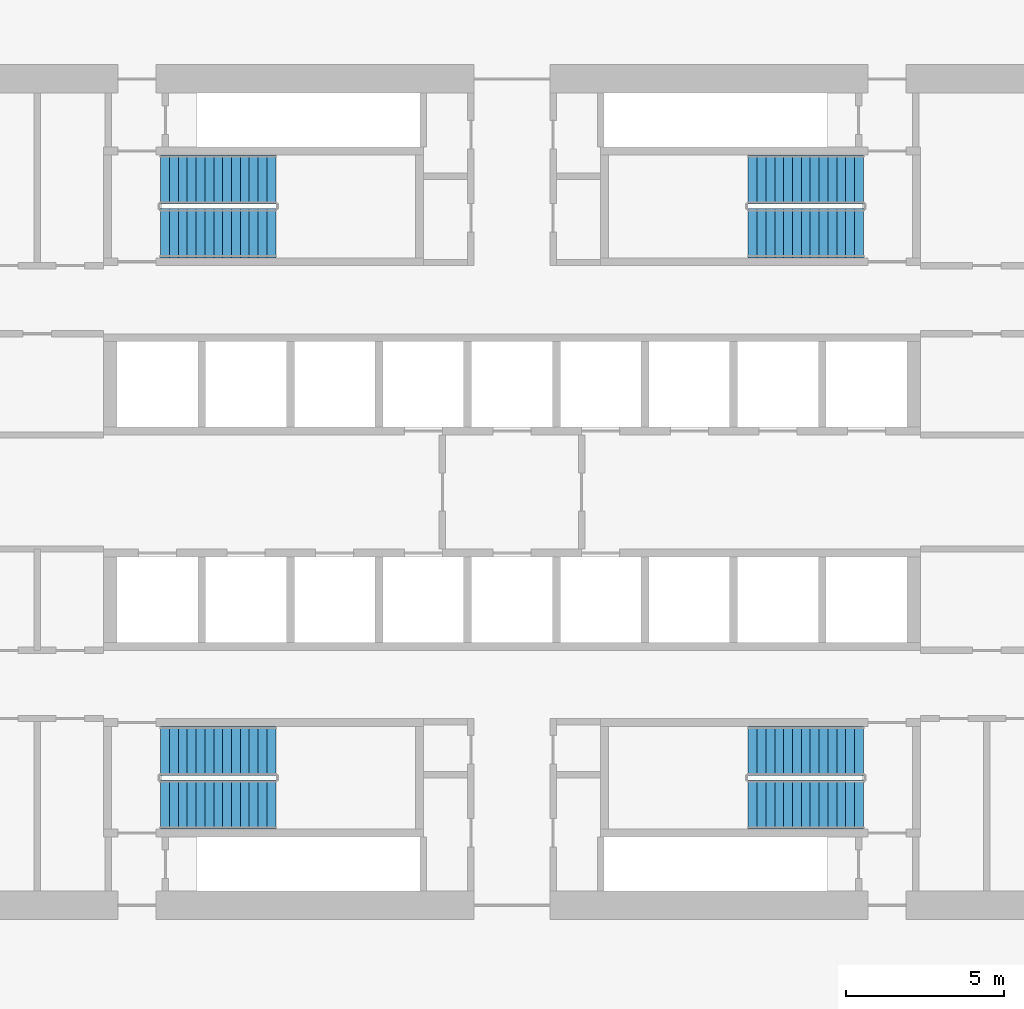
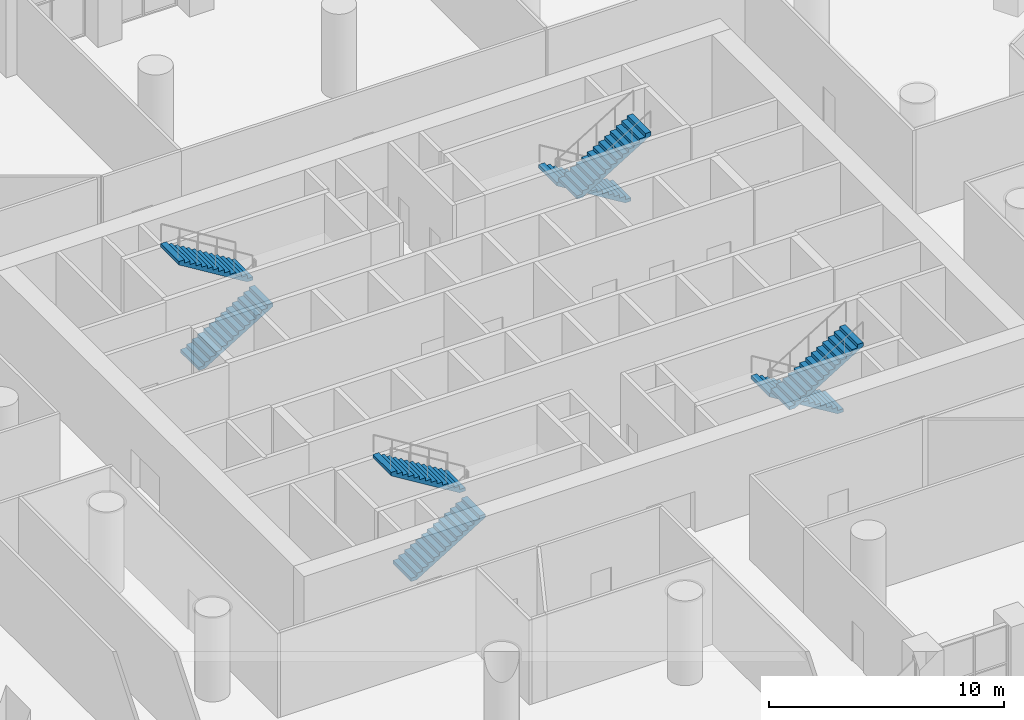
# One storey, part 15 of 21: 8 stair flights, 4 elements without a shape of their own.
"""IFC4 building model written with IfcOpenShell, lengths in metres."""

from ifc_helpers import new_model, si_unit, direction, frame, origin, place, context, subcontext, project, spatial, polyline, outline, extrude, material, type_object, element, aggregate, save


model = new_model("IFC4")

# Units and contexts
model_context = context("Model", 3, precision=1e-05, world=origin(), true_north=direction((0.0, 1.0)))
body_context = subcontext(model_context, "Body", "Model", "MODEL_VIEW")
ifc_project = project(units=[si_unit("LENGTHUNIT", "METRE"), si_unit("AREAUNIT", "SQUARE_METRE"), si_unit("VOLUMEUNIT", "CUBIC_METRE"), si_unit("PLANEANGLEUNIT", "RADIAN"), si_unit("MASSUNIT", "GRAM", prefix="KILO")], contexts=[model_context])

# Site, building, storey
site_placement = place(None, origin())
site = spatial("IfcSite", under=ifc_project, at=site_placement, CompositionType="ELEMENT")
building_placement = place(site_placement, origin())
building = spatial("IfcBuilding", under=site, at=building_placement, Name="Dhurran Vertical Campus", CompositionType="ELEMENT")
storey_placement = place(building_placement, frame((0.0, 0.0, 20.39990234375)))
storey = spatial("IfcBuildingStorey", under=building, at=storey_placement, Name="L04", CompositionType="ELEMENT", Elevation=20.39990234375)

# Stair, stair flights
ifc_material_1 = material(Name="Concrete C40/50", Category="concrete")
stair_type = type_object("IfcStairType", Name="co-ST-CORE", PredefinedType="HALF_TURN_STAIR", material=ifc_material_1)
stair_1_placement = place(storey_placement, origin())
stair_1 = element("IfcStair", 1, at=stair_1_placement, inside=storey, type_object=stair_type, Name="L04 Protected exit stair ST1", PredefinedType="HALF_TURN_STAIR")
ifc_material_2 = material(Name="Concrete C40/50", Category="concrete")
stair_flight_type = type_object("IfcStairFlightType", Name="co-SFL-RC", PredefinedType="STRAIGHT", material=ifc_material_2)
stair_flight_1_placement = place(storey_placement, frame((-11.10009765625, 8.175048828125, 0.0), z_axis=(0.0, 0.0, 1.0), x_axis=(1.0, 0.0, 0.0)))
stair_flight_1 = element("IfcStairFlight", 2, at=stair_flight_1_placement, type_object=stair_flight_type, Name="ST1 flight 1", NumberOfRisers=14, NumberOfTreads=13, PredefinedType="STRAIGHT", RiserHeight=0.171428571, TreadLength=0.28, context=body_context, shape_type="SweptSolid", body=[
    extrude(outline(polyline([(0.0, 0.0), (0.0, 0.17138671875), (0.280029296875, 0.17138671875), (0.280029296875, 0.3427734375), (0.56005859375, 0.3427734375), (0.56005859375, 0.514404296875), (0.840087890625, 0.514404296875), (0.840087890625, 0.685791015625), (1.1201171875, 0.685791015625), (1.1201171875, 0.857177734375), (1.39990234375, 0.857177734375), (1.39990234375, 1.028564453125), (1.679931640625, 1.028564453125), (1.679931640625, 1.199951171875), (1.9599609375, 1.199951171875), (1.9599609375, 1.371337890625), (2.239990234375, 1.371337890625), (2.239990234375, 1.54296875), (2.52001953125, 1.54296875), (2.52001953125, 1.71435546875), (2.800048828125, 1.71435546875), (2.800048828125, 1.8857421875), (3.080078125, 1.8857421875), (3.080078125, 2.05712890625), (3.360107421875, 2.05712890625), (3.360107421875, 2.228515625), (3.639892578125, 2.228515625), (3.639892578125, 2.39990234375), (3.639892578125, 2.052734375), (0.287109375, 0.0), (0.0, 0.0)])), frame((0.0, 0.77490234375, 0.0), z_axis=(0.0, -1.0, 0.0), x_axis=(1.0, 0.0, 0.0)), (0.0, 0.0, 1.0), 1.550048828125),
])
stair_flight_2_placement = place(storey_placement, frame((-7.4599609375, 9.875, 2.400146484375), z_axis=(0.0, 0.0, 1.0), x_axis=(-1.0, 0.0, 0.0)))
stair_flight_2 = element("IfcStairFlight", 3, at=stair_flight_2_placement, type_object=stair_flight_type, Name="ST1 flight 2", NumberOfRisers=14, NumberOfTreads=13, PredefinedType="STRAIGHT", RiserHeight=0.171428571, TreadLength=0.28, context=body_context, shape_type="SweptSolid", body=[
    extrude(outline(polyline([(0.0, 0.0), (0.0, 0.17138671875), (0.280029296875, 0.17138671875), (0.280029296875, 0.3427734375), (0.56005859375, 0.3427734375), (0.56005859375, 0.514404296875), (0.840087890625, 0.514404296875), (0.840087890625, 0.685791015625), (1.1201171875, 0.685791015625), (1.1201171875, 0.857177734375), (1.39990234375, 0.857177734375), (1.39990234375, 1.028564453125), (1.679931640625, 1.028564453125), (1.679931640625, 1.199951171875), (1.9599609375, 1.199951171875), (1.9599609375, 1.371337890625), (2.239990234375, 1.371337890625), (2.239990234375, 1.54296875), (2.52001953125, 1.54296875), (2.52001953125, 1.71435546875), (2.800048828125, 1.71435546875), (2.800048828125, 1.8857421875), (3.080078125, 1.8857421875), (3.080078125, 2.05712890625), (3.360107421875, 2.05712890625), (3.360107421875, 2.228515625), (3.639892578125, 2.228515625), (3.639892578125, 2.39990234375), (3.639892578125, 2.052734375), (0.287109375, 0.0), (0.0, 0.0)])), frame((0.0, 0.77490234375, 0.0), z_axis=(0.0, -1.0, 0.0), x_axis=(1.0, 0.0, 0.0)), (0.0, 0.0, 1.0), 1.550048828125),
])
aggregate(stair_1, [stair_flight_1, stair_flight_2])

stair_2_placement = place(storey_placement, origin())
stair_2 = element("IfcStair", 4, at=stair_2_placement, inside=storey, type_object=stair_type, Name="L04 Protected exit stair ST2", PredefinedType="HALF_TURN_STAIR")
stair_flight_3_placement = place(storey_placement, frame((11.10009765625, 9.875, 0.0), z_axis=(0.0, 0.0, 1.0), x_axis=(-1.0, 0.0, 0.0)))
stair_flight_3 = element("IfcStairFlight", 5, at=stair_flight_3_placement, type_object=stair_flight_type, Name="ST2 flight 1", NumberOfRisers=14, NumberOfTreads=13, PredefinedType="STRAIGHT", RiserHeight=0.171428571, TreadLength=0.28, context=body_context, shape_type="SweptSolid", body=[
    extrude(outline(polyline([(0.0, 0.0), (0.0, 0.17138671875), (0.280029296875, 0.17138671875), (0.280029296875, 0.3427734375), (0.56005859375, 0.3427734375), (0.56005859375, 0.514404296875), (0.840087890625, 0.514404296875), (0.840087890625, 0.685791015625), (1.1201171875, 0.685791015625), (1.1201171875, 0.857177734375), (1.39990234375, 0.857177734375), (1.39990234375, 1.028564453125), (1.679931640625, 1.028564453125), (1.679931640625, 1.199951171875), (1.9599609375, 1.199951171875), (1.9599609375, 1.371337890625), (2.239990234375, 1.371337890625), (2.239990234375, 1.54296875), (2.52001953125, 1.54296875), (2.52001953125, 1.71435546875), (2.800048828125, 1.71435546875), (2.800048828125, 1.8857421875), (3.080078125, 1.8857421875), (3.080078125, 2.05712890625), (3.360107421875, 2.05712890625), (3.360107421875, 2.228515625), (3.639892578125, 2.228515625), (3.639892578125, 2.39990234375), (3.639892578125, 2.052734375), (0.287109375, 0.0), (0.0, 0.0)])), frame((0.0, 0.77490234375, 0.0), z_axis=(0.0, -1.0, 0.0), x_axis=(1.0, 0.0, 0.0)), (0.0, 0.0, 1.0), 1.550048828125),
])
stair_flight_4_placement = place(storey_placement, frame((7.4599609375, 8.175048828125, 2.400146484375), z_axis=(0.0, 0.0, 1.0), x_axis=(1.0, 0.0, 0.0)))
stair_flight_4 = element("IfcStairFlight", 6, at=stair_flight_4_placement, type_object=stair_flight_type, Name="ST2 flight 2", NumberOfRisers=14, NumberOfTreads=13, PredefinedType="STRAIGHT", RiserHeight=0.171428571, TreadLength=0.28, context=body_context, shape_type="SweptSolid", body=[
    extrude(outline(polyline([(0.0, 0.0), (0.0, 0.17138671875), (0.280029296875, 0.17138671875), (0.280029296875, 0.3427734375), (0.56005859375, 0.3427734375), (0.56005859375, 0.514404296875), (0.840087890625, 0.514404296875), (0.840087890625, 0.685791015625), (1.1201171875, 0.685791015625), (1.1201171875, 0.857177734375), (1.39990234375, 0.857177734375), (1.39990234375, 1.028564453125), (1.679931640625, 1.028564453125), (1.679931640625, 1.199951171875), (1.9599609375, 1.199951171875), (1.9599609375, 1.371337890625), (2.239990234375, 1.371337890625), (2.239990234375, 1.54296875), (2.52001953125, 1.54296875), (2.52001953125, 1.71435546875), (2.800048828125, 1.71435546875), (2.800048828125, 1.8857421875), (3.080078125, 1.8857421875), (3.080078125, 2.05712890625), (3.360107421875, 2.05712890625), (3.360107421875, 2.228515625), (3.639892578125, 2.228515625), (3.639892578125, 2.39990234375), (3.639892578125, 2.052734375), (0.287109375, 0.0), (0.0, 0.0)])), frame((0.0, 0.77490234375, 0.0), z_axis=(0.0, -1.0, 0.0), x_axis=(1.0, 0.0, 0.0)), (0.0, 0.0, 1.0), 1.550048828125),
])
aggregate(stair_2, [stair_flight_3, stair_flight_4])

stair_3_placement = place(storey_placement, origin())
stair_3 = element("IfcStair", 7, at=stair_3_placement, inside=storey, type_object=stair_type, Name="L04 Protected exit stair ST3", PredefinedType="HALF_TURN_STAIR")
stair_flight_5_placement = place(storey_placement, frame((-11.10009765625, -9.875, 0.0), z_axis=(0.0, 0.0, 1.0), x_axis=(1.0, 0.0, 0.0)))
stair_flight_5 = element("IfcStairFlight", 8, at=stair_flight_5_placement, type_object=stair_flight_type, Name="ST3 flight 1", NumberOfRisers=14, NumberOfTreads=13, PredefinedType="STRAIGHT", RiserHeight=0.171428571, TreadLength=0.28, context=body_context, shape_type="SweptSolid", body=[
    extrude(outline(polyline([(0.0, 0.0), (0.0, 0.17138671875), (0.280029296875, 0.17138671875), (0.280029296875, 0.3427734375), (0.56005859375, 0.3427734375), (0.56005859375, 0.514404296875), (0.840087890625, 0.514404296875), (0.840087890625, 0.685791015625), (1.1201171875, 0.685791015625), (1.1201171875, 0.857177734375), (1.39990234375, 0.857177734375), (1.39990234375, 1.028564453125), (1.679931640625, 1.028564453125), (1.679931640625, 1.199951171875), (1.9599609375, 1.199951171875), (1.9599609375, 1.371337890625), (2.239990234375, 1.371337890625), (2.239990234375, 1.54296875), (2.52001953125, 1.54296875), (2.52001953125, 1.71435546875), (2.800048828125, 1.71435546875), (2.800048828125, 1.8857421875), (3.080078125, 1.8857421875), (3.080078125, 2.05712890625), (3.360107421875, 2.05712890625), (3.360107421875, 2.228515625), (3.639892578125, 2.228515625), (3.639892578125, 2.39990234375), (3.639892578125, 2.052734375), (0.287109375, 0.0), (0.0, 0.0)])), frame((0.0, 0.77490234375, 0.0), z_axis=(0.0, -1.0, 0.0), x_axis=(1.0, 0.0, 0.0)), (0.0, 0.0, 1.0), 1.550048828125),
])
stair_flight_6_placement = place(storey_placement, frame((-7.4599609375, -8.175048828125, 2.400146484375), z_axis=(0.0, 0.0, 1.0), x_axis=(-1.0, 0.0, 0.0)))
stair_flight_6 = element("IfcStairFlight", 9, at=stair_flight_6_placement, type_object=stair_flight_type, Name="ST3 flight 2", NumberOfRisers=14, NumberOfTreads=13, PredefinedType="STRAIGHT", RiserHeight=0.171428571, TreadLength=0.28, context=body_context, shape_type="SweptSolid", body=[
    extrude(outline(polyline([(0.0, 0.0), (0.0, 0.17138671875), (0.280029296875, 0.17138671875), (0.280029296875, 0.3427734375), (0.56005859375, 0.3427734375), (0.56005859375, 0.514404296875), (0.840087890625, 0.514404296875), (0.840087890625, 0.685791015625), (1.1201171875, 0.685791015625), (1.1201171875, 0.857177734375), (1.39990234375, 0.857177734375), (1.39990234375, 1.028564453125), (1.679931640625, 1.028564453125), (1.679931640625, 1.199951171875), (1.9599609375, 1.199951171875), (1.9599609375, 1.371337890625), (2.239990234375, 1.371337890625), (2.239990234375, 1.54296875), (2.52001953125, 1.54296875), (2.52001953125, 1.71435546875), (2.800048828125, 1.71435546875), (2.800048828125, 1.8857421875), (3.080078125, 1.8857421875), (3.080078125, 2.05712890625), (3.360107421875, 2.05712890625), (3.360107421875, 2.228515625), (3.639892578125, 2.228515625), (3.639892578125, 2.39990234375), (3.639892578125, 2.052734375), (0.287109375, 0.0), (0.0, 0.0)])), frame((0.0, 0.77490234375, 0.0), z_axis=(0.0, -1.0, 0.0), x_axis=(1.0, 0.0, 0.0)), (0.0, 0.0, 1.0), 1.550048828125),
])
aggregate(stair_3, [stair_flight_5, stair_flight_6])

stair_4_placement = place(storey_placement, origin())
stair_4 = element("IfcStair", 10, at=stair_4_placement, inside=storey, type_object=stair_type, Name="L04 Protected exit stair ST4", PredefinedType="HALF_TURN_STAIR")
stair_flight_7_placement = place(storey_placement, frame((11.10009765625, -8.175048828125, 0.0), z_axis=(0.0, 0.0, 1.0), x_axis=(-1.0, 0.0, 0.0)))
stair_flight_7 = element("IfcStairFlight", 11, at=stair_flight_7_placement, type_object=stair_flight_type, Name="ST4 flight 1", NumberOfRisers=14, NumberOfTreads=13, PredefinedType="STRAIGHT", RiserHeight=0.171428571, TreadLength=0.28, context=body_context, shape_type="SweptSolid", body=[
    extrude(outline(polyline([(0.0, 0.0), (0.0, 0.17138671875), (0.280029296875, 0.17138671875), (0.280029296875, 0.3427734375), (0.56005859375, 0.3427734375), (0.56005859375, 0.514404296875), (0.840087890625, 0.514404296875), (0.840087890625, 0.685791015625), (1.1201171875, 0.685791015625), (1.1201171875, 0.857177734375), (1.39990234375, 0.857177734375), (1.39990234375, 1.028564453125), (1.679931640625, 1.028564453125), (1.679931640625, 1.199951171875), (1.9599609375, 1.199951171875), (1.9599609375, 1.371337890625), (2.239990234375, 1.371337890625), (2.239990234375, 1.54296875), (2.52001953125, 1.54296875), (2.52001953125, 1.71435546875), (2.800048828125, 1.71435546875), (2.800048828125, 1.8857421875), (3.080078125, 1.8857421875), (3.080078125, 2.05712890625), (3.360107421875, 2.05712890625), (3.360107421875, 2.228515625), (3.639892578125, 2.228515625), (3.639892578125, 2.39990234375), (3.639892578125, 2.052734375), (0.287109375, 0.0), (0.0, 0.0)])), frame((0.0, 0.77490234375, 0.0), z_axis=(0.0, -1.0, 0.0), x_axis=(1.0, 0.0, 0.0)), (0.0, 0.0, 1.0), 1.550048828125),
])
stair_flight_8_placement = place(storey_placement, frame((7.4599609375, -9.875, 2.400146484375), z_axis=(0.0, 0.0, 1.0), x_axis=(1.0, 0.0, 0.0)))
stair_flight_8 = element("IfcStairFlight", 12, at=stair_flight_8_placement, type_object=stair_flight_type, Name="ST4 flight 2", NumberOfRisers=14, NumberOfTreads=13, PredefinedType="STRAIGHT", RiserHeight=0.171428571, TreadLength=0.28, context=body_context, shape_type="SweptSolid", body=[
    extrude(outline(polyline([(0.0, 0.0), (0.0, 0.17138671875), (0.280029296875, 0.17138671875), (0.280029296875, 0.3427734375), (0.56005859375, 0.3427734375), (0.56005859375, 0.514404296875), (0.840087890625, 0.514404296875), (0.840087890625, 0.685791015625), (1.1201171875, 0.685791015625), (1.1201171875, 0.857177734375), (1.39990234375, 0.857177734375), (1.39990234375, 1.028564453125), (1.679931640625, 1.028564453125), (1.679931640625, 1.199951171875), (1.9599609375, 1.199951171875), (1.9599609375, 1.371337890625), (2.239990234375, 1.371337890625), (2.239990234375, 1.54296875), (2.52001953125, 1.54296875), (2.52001953125, 1.71435546875), (2.800048828125, 1.71435546875), (2.800048828125, 1.8857421875), (3.080078125, 1.8857421875), (3.080078125, 2.05712890625), (3.360107421875, 2.05712890625), (3.360107421875, 2.228515625), (3.639892578125, 2.228515625), (3.639892578125, 2.39990234375), (3.639892578125, 2.052734375), (0.287109375, 0.0), (0.0, 0.0)])), frame((0.0, 0.77490234375, 0.0), z_axis=(0.0, -1.0, 0.0), x_axis=(1.0, 0.0, 0.0)), (0.0, 0.0, 1.0), 1.550048828125),
])
aggregate(stair_4, [stair_flight_7, stair_flight_8])

save(model, "model.ifc")
